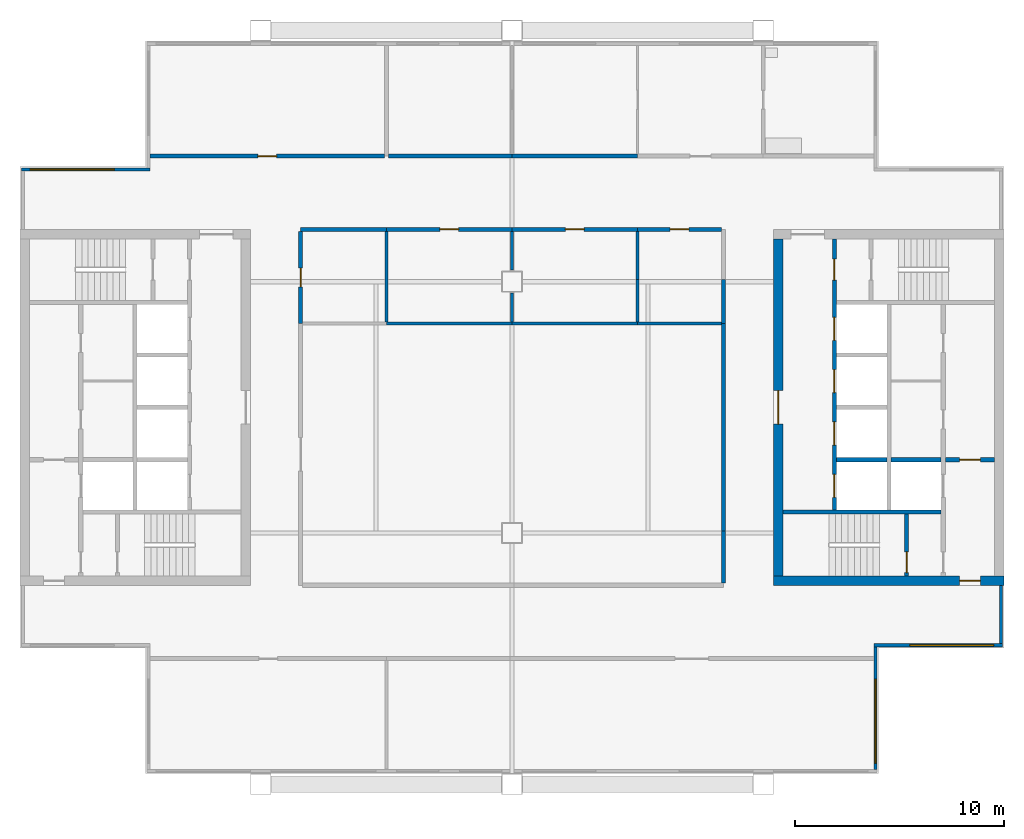
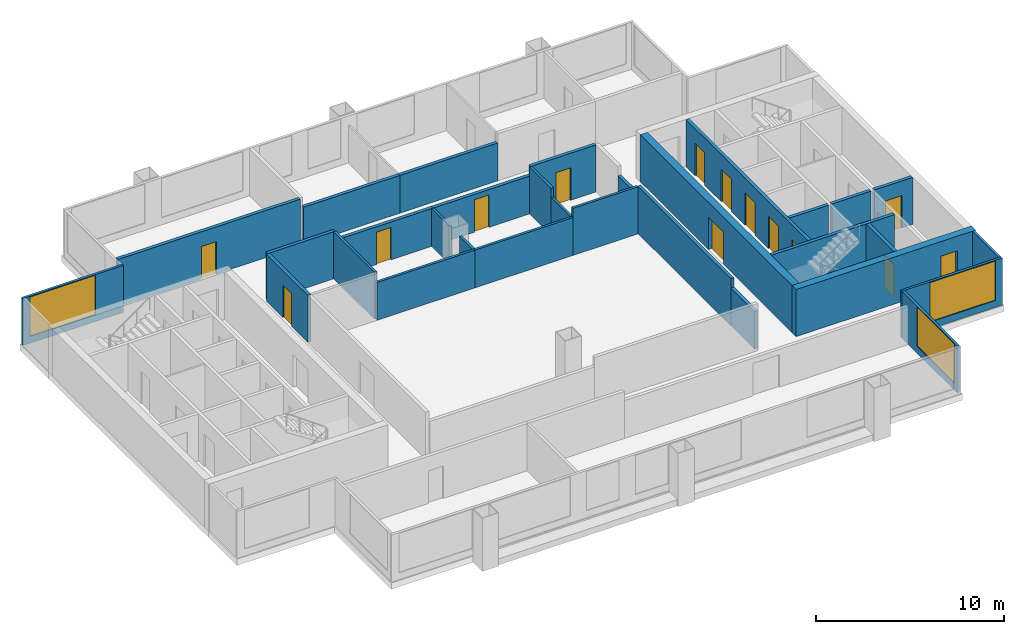
# One storey, part 3 of 7: 31 walls, 14 doors, 3 windows, 17 openings.
"""IFC4 building model written with IfcOpenShell, lengths in metres."""

from ifc_helpers import new_model, si_unit, direction, frame, frame_2d, origin, place, context, subcontext, project, spatial, rectangle, extrude, material, layer, layer_set, type_object, element, fill, save


model = new_model("IFC4")

# Units and contexts
model_context = context("Model", 3, precision=1e-05, world=origin(), true_north=direction((0.0, 1.0)))
body_context = subcontext(model_context, "Body", "Model", "MODEL_VIEW")
ifc_project = project(units=[si_unit("LENGTHUNIT", "METRE"), si_unit("AREAUNIT", "SQUARE_METRE"), si_unit("VOLUMEUNIT", "CUBIC_METRE"), si_unit("PLANEANGLEUNIT", "RADIAN"), si_unit("MASSUNIT", "GRAM", prefix="KILO")], contexts=[model_context])

# Site, building, storey
site_placement = place(None, origin())
site = spatial("IfcSite", under=ifc_project, at=site_placement, CompositionType="ELEMENT")
building_placement = place(site_placement, origin())
building = spatial("IfcBuilding", under=site, at=building_placement, Name="Kitamizu Gate Tower and Museum", CompositionType="ELEMENT")
storey_placement = place(building_placement, frame((0.0, 0.0, 245.550048828125)))
storey = spatial("IfcBuildingStorey", under=building, at=storey_placement, Name="L66", CompositionType="ELEMENT", Elevation=245.550048828125)

# Wall, opening, door
ifc_material_1 = material(Name="Concrete Fc42", Category="concrete")
ifc_layer_1 = layer(ifc_material_1, 0.449951171875)
ifc_layer_set_1 = layer_set([ifc_layer_1], Name="Concrete Fc42")
wall_type_1 = type_object("IfcWallType", Name="Core wall 450", PredefinedType="SHEAR", material=ifc_layer_set_1)
wall_1_placement = place(storey_placement, frame((59.5, 21.72509765625, 0.0), z_axis=(0.0, 0.0, 1.0), x_axis=(-1.0, 0.0, 0.0)))
wall_1 = element("IfcWall", 1, at=wall_1_placement, inside=storey, type_object=wall_type_1, Name="Core wall ES", PredefinedType="SHEAR", context=body_context, shape_type="SweptSolid", body=[
    extrude(rectangle(XDim=11.0, YDim=0.449951171875, at=frame_2d((5.5, 0.0))), origin(), (0.0, 0.0, 1.0), 3.050048828125),
])
opening_1_placement = place(wall_1_placement, frame((1.125, 0.0, 0.0)))
opening_1 = element("IfcOpeningElement", 2, at=opening_1_placement, cuts=wall_1, Name="Opening L66-028", PredefinedType="OPENING", context=body_context, shape_type="SweptSolid", body=[
    extrude(rectangle(XDim=1.0, YDim=2.10009765625, at=frame_2d((0.5, 1.050048828125))), frame((0.0, 0.23486328125, 0.0), z_axis=(0.0, -1.0, 0.0), x_axis=(1.0, 0.0, 0.0)), (0.0, 0.0, 1.0), 0.469970703125),
])
ifc_material_2 = material(Name="Hollow metal door set")
door_type_1 = type_object("IfcDoorType", Name="Fire door 1000", OperationType="NOTDEFINED", PredefinedType="DOOR", material=ifc_material_2)
door_1_placement = place(opening_1_placement, frame((1.0, 0.0, 0.0), x_axis=(-1.0, 0.0, 0.0)))
door_1 = element("IfcDoor", 3, at=door_1_placement, inside=storey, type_object=door_type_1, Name="Fire-fighting lobby door L66-028", OperationType="SINGLE_SWING_RIGHT", OverallHeight=2.10009765625, OverallWidth=1.0, PredefinedType="DOOR", context=body_context, shape_type="SweptSolid", body=[
    extrude(rectangle(XDim=1.0, YDim=2.10009765625, at=frame_2d((0.5, 1.050048828125))), frame((0.0, 0.02490234375, 0.0), z_axis=(0.0, -1.0, 0.0), x_axis=(1.0, 0.0, 0.0)), (0.0, 0.0, 1.0), 0.050048828125),
])
fill(opening_1, door_1)

wall_2_placement = place(storey_placement, frame((48.72509765625, 21.949951171875, 0.0), z_axis=(0.0, 0.0, 1.0), x_axis=(0.0, 1.0, 0.0)))
wall_2 = element("IfcWall", 4, at=wall_2_placement, inside=storey, type_object=wall_type_1, Name="Core wall EARC", PredefinedType="SHEAR", context=body_context, shape_type="SweptSolid", body=[
    extrude(rectangle(XDim=16.10009765625, YDim=0.449951171875, at=frame_2d((8.050048828125, 0.0))), origin(), (0.0, 0.0, 1.0), 3.050048828125),
])
opening_2_placement = place(wall_2_placement, frame((7.25, 0.0, 0.0)))
opening_2 = element("IfcOpeningElement", 5, at=opening_2_placement, cuts=wall_2, Name="Opening L66-030", PredefinedType="OPENING", context=body_context, shape_type="SweptSolid", body=[
    extrude(rectangle(XDim=1.60009765625, YDim=2.10009765625, at=frame_2d((0.800048828125, 1.050048828125))), frame((0.0, 0.23486328125, 0.0), z_axis=(0.0, -1.0, 0.0), x_axis=(1.0, 0.0, 0.0)), (0.0, 0.0, 1.0), 0.469970703125),
])
ifc_material_3 = material(Name="Timber door set", Category="wood")
door_type_2 = type_object("IfcDoorType", Name="Entrance door 1600", OperationType="DOUBLE_DOOR_SINGLE_SWING", PredefinedType="DOOR", material=ifc_material_3)
door_2_placement = place(opening_2_placement, origin())
door_2 = element("IfcDoor", 6, at=door_2_placement, inside=storey, type_object=door_type_2, Name="Lobby door L66-030", OperationType="DOUBLE_DOOR_SINGLE_SWING", OverallHeight=2.10009765625, OverallWidth=1.60009765625, PredefinedType="DOOR", context=body_context, shape_type="SweptSolid", body=[
    extrude(rectangle(XDim=1.60009765625, YDim=2.10009765625, at=frame_2d((0.800048828125, 1.050048828125))), frame((0.0, 0.02490234375, 0.0), z_axis=(0.0, -1.0, 0.0), x_axis=(1.0, 0.0, 0.0)), (0.0, 0.0, 1.0), 0.050048828125),
])
fill(opening_2, door_2)

# Walls
ifc_material_4 = material(Name="Gypsum board on galvanised stud")
ifc_layer_2 = layer(ifc_material_4, 0.14990234375)
ifc_layer_set_2 = layer_set([ifc_layer_2], Name="Gypsum board on galvanised stud")
wall_type_2 = type_object("IfcWallType", Name="Partition 150", PredefinedType="PARTITIONING", material=ifc_layer_set_2)
for number, where, z_axis, x_axis, name in (
    (7, (36.0, 34.0, 0.0), (0.0, 0.0, 1.0), (-1.0, 0.0, 0.0), "Partition L66-027"),
    (8, (42.0, 34.0, 0.0), (0.0, 0.0, 1.0), (-1.0, 0.0, 0.0), "Partition L66-028"),
):
    element("IfcWall", number, at=place(storey_placement, frame(where, z_axis=z_axis, x_axis=x_axis)), inside=storey, type_object=wall_type_2, Name=name, PredefinedType="PARTITIONING", context=body_context, shape_type="SweptSolid", body=[
        extrude(rectangle(XDim=6.0, YDim=0.14990234375, at=frame_2d((3.0, 0.0))), origin(), (0.0, 0.0, 1.0), 2.449951171875),
    ])
wall_3_placement = place(storey_placement, frame((46.0, 34.0, 0.0), z_axis=(0.0, 0.0, 1.0), x_axis=(-1.0, 0.0, 0.0)))
element("IfcWall", 9, at=wall_3_placement, inside=storey, type_object=wall_type_2, Name="Partition L66-029", PredefinedType="PARTITIONING", context=body_context, shape_type="SweptSolid", body=[
    extrude(rectangle(XDim=4.0, YDim=0.14990234375, at=frame_2d((2.0, 0.0))), origin(), (0.0, 0.0, 1.0), 3.050048828125),
])
wall_4_placement = place(storey_placement, frame((30.0, 34.074951171875, 0.0), z_axis=(0.0, 0.0, 1.0), x_axis=(0.0, 1.0, 0.0)))
element("IfcWall", 10, at=wall_4_placement, inside=storey, type_object=wall_type_2, Name="Partition L66-030", PredefinedType="PARTITIONING", context=body_context, shape_type="SweptSolid", body=[
    extrude(rectangle(XDim=4.324951171875, YDim=0.14990234375, at=frame_2d((2.16259765625, 0.0))), origin(), (0.0, 0.0, 1.0), 3.050048828125),
])
wall_5_placement = place(storey_placement, frame((36.0, 34.074951171875, 0.0), z_axis=(0.0, 0.0, 1.0), x_axis=(0.0, 1.0, 0.0)))
element("IfcWall", 11, at=wall_5_placement, inside=storey, type_object=wall_type_2, Name="Partition L66-031", PredefinedType="PARTITIONING", context=body_context, shape_type="SweptSolid", body=[
    extrude(rectangle(XDim=1.375, YDim=0.14990234375, at=frame_2d((0.6875, 0.0))), origin(), (0.0, 0.0, 1.0), 2.449951171875),
])
wall_6_placement = place(storey_placement, frame((36.0, 36.550048828125, 0.0), z_axis=(0.0, 0.0, 1.0), x_axis=(0.0, 1.0, 0.0)))
element("IfcWall", 12, at=wall_6_placement, inside=storey, type_object=wall_type_2, Name="Partition L66-032", PredefinedType="PARTITIONING", context=body_context, shape_type="SweptSolid", body=[
    extrude(rectangle(XDim=1.849853515625, YDim=0.14990234375, at=frame_2d((0.9248046875, 0.0))), origin(), (0.0, 0.0, 1.0), 2.449951171875),
])
wall_7_placement = place(storey_placement, frame((42.0, 34.074951171875, 0.0), z_axis=(0.0, 0.0, 1.0), x_axis=(0.0, 1.0, 0.0)))
element("IfcWall", 13, at=wall_7_placement, inside=storey, type_object=wall_type_2, Name="Partition L66-033", PredefinedType="PARTITIONING", context=body_context, shape_type="SweptSolid", body=[
    extrude(rectangle(XDim=2.025146484375, YDim=0.14990234375, at=frame_2d((1.0126953125, 0.0))), origin(), (0.0, 0.0, 1.0), 2.449951171875),
])
wall_8_placement = place(storey_placement, frame((42.0, 36.10009765625, 0.0), z_axis=(0.0, 0.0, 1.0), x_axis=(0.0, 1.0, 0.0)))
element("IfcWall", 14, at=wall_8_placement, inside=storey, type_object=wall_type_2, Name="Partition L66-034", PredefinedType="PARTITIONING", context=body_context, shape_type="SweptSolid", body=[
    extrude(rectangle(XDim=2.2998046875, YDim=0.14990234375, at=frame_2d((1.14990234375, 0.0))), origin(), (0.0, 0.0, 1.0), 3.050048828125),
])

# Wall, opening, door
ifc_material_5 = material(Name="Gypsum board on galvanised stud")
ifc_layer_3 = layer(ifc_material_5, 0.199951171875)
ifc_layer_set_3 = layer_set([ifc_layer_3], Name="Gypsum board on galvanised stud")
wall_type_3 = type_object("IfcWallType", Name="Partition 200", PredefinedType="PARTITIONING", material=ifc_layer_set_3)
wall_9_placement = place(storey_placement, frame((18.719970703125, 42.0, 0.0), z_axis=(0.0, 0.0, 1.0), x_axis=(1.0, 0.0, 0.0)))
wall_9 = element("IfcWall", 15, at=wall_9_placement, inside=storey, type_object=wall_type_3, Name="Partition L66-002", PredefinedType="PARTITIONING", context=body_context, shape_type="SweptSolid", body=[
    extrude(rectangle(XDim=11.179931640625, YDim=0.199951171875, at=frame_2d((5.58984375, 0.0))), origin(), (0.0, 0.0, 1.0), 3.050048828125),
])
opening_3_placement = place(wall_9_placement, frame((5.139892578125, 0.0, 0.0)))
opening_3 = element("IfcOpeningElement", 16, at=opening_3_placement, cuts=wall_9, Name="Opening L66-005", PredefinedType="OPENING", context=body_context, shape_type="SweptSolid", body=[
    extrude(rectangle(XDim=0.89990234375, YDim=2.10009765625, at=frame_2d((0.449951171875, 1.050048828125))), frame((0.0, 0.10986328125, 0.0), z_axis=(0.0, -1.0, 0.0), x_axis=(1.0, 0.0, 0.0)), (0.0, 0.0, 1.0), 0.219970703125),
])
ifc_material_6 = material(Name="Timber door set", Category="wood")
door_type_3 = type_object("IfcDoorType", Name="Room door 900", OperationType="NOTDEFINED", PredefinedType="DOOR", material=ifc_material_6)
door_3_placement = place(opening_3_placement, origin())
door_3 = element("IfcDoor", 17, at=door_3_placement, inside=storey, type_object=door_type_3, Name="Door L66-005", OperationType="SINGLE_SWING_RIGHT", OverallHeight=2.10009765625, OverallWidth=0.89990234375, PredefinedType="DOOR", context=body_context, shape_type="SweptSolid", body=[
    extrude(rectangle(XDim=0.89990234375, YDim=2.10009765625, at=frame_2d((0.449951171875, 1.050048828125))), frame((0.0, 0.02490234375, 0.0), z_axis=(0.0, -1.0, 0.0), x_axis=(1.0, 0.0, 0.0)), (0.0, 0.0, 1.0), 0.050048828125),
])
fill(opening_3, door_3)

# Walls
wall_10_placement = place(storey_placement, frame((30.10009765625, 42.0, 0.0), z_axis=(0.0, 0.0, 1.0), x_axis=(1.0, 0.0, 0.0)))
element("IfcWall", 18, at=wall_10_placement, inside=storey, type_object=wall_type_3, Name="Partition L66-004", PredefinedType="PARTITIONING", context=body_context, shape_type="SweptSolid", body=[
    extrude(rectangle(XDim=5.89990234375, YDim=0.199951171875, at=frame_2d((2.949951171875, 0.0))), origin(), (0.0, 0.0, 1.0), 2.449951171875),
])
wall_11_placement = place(storey_placement, frame((36.0, 42.0, 0.0), z_axis=(0.0, 0.0, 1.0), x_axis=(1.0, 0.0, 0.0)))
element("IfcWall", 19, at=wall_11_placement, inside=storey, type_object=wall_type_3, Name="Partition L66-006", PredefinedType="PARTITIONING", context=body_context, shape_type="SweptSolid", body=[
    extrude(rectangle(XDim=6.0, YDim=0.199951171875, at=frame_2d((3.0, 0.0))), origin(), (0.0, 0.0, 1.0), 2.449951171875),
])
wall_12_placement = place(storey_placement, frame((46.10009765625, 21.60009765625, 0.0), z_axis=(0.0, 0.0, 1.0), x_axis=(0.0, 1.0, 0.0)))
element("IfcWall", 20, at=wall_12_placement, inside=storey, type_object=wall_type_3, Name="Partition L66-017", PredefinedType="PARTITIONING", context=body_context, shape_type="SweptSolid", body=[
    extrude(rectangle(XDim=2.5, YDim=0.199951171875, at=frame_2d((1.25, 0.0))), origin(), (0.0, 0.0, 1.0), 2.449951171875),
])
wall_13_placement = place(storey_placement, frame((46.10009765625, 24.10009765625, 0.0), z_axis=(0.0, 0.0, 1.0), x_axis=(0.0, 1.0, 0.0)))
element("IfcWall", 21, at=wall_13_placement, inside=storey, type_object=wall_type_3, Name="Partition L66-018", PredefinedType="PARTITIONING", context=body_context, shape_type="SweptSolid", body=[
    extrude(rectangle(XDim=9.89990234375, YDim=0.199951171875, at=frame_2d((4.949951171875, 0.0))), origin(), (0.0, 0.0, 1.0), 3.050048828125),
])
wall_14_placement = place(storey_placement, frame((30.0, 38.5, 0.0), z_axis=(0.0, 0.0, 1.0), x_axis=(-1.0, 0.0, 0.0)))
element("IfcWall", 22, at=wall_14_placement, inside=storey, type_object=wall_type_3, Name="Partition L66-019", PredefinedType="PARTITIONING", context=body_context, shape_type="SweptSolid", body=[
    extrude(rectangle(XDim=4.10009765625, YDim=0.199951171875, at=frame_2d((2.050048828125, 0.0))), origin(), (0.0, 0.0, 1.0), 3.050048828125),
])

# Wall, opening, door
wall_15_placement = place(storey_placement, frame((25.89990234375, 38.39990234375, 0.0), z_axis=(0.0, 0.0, 1.0), x_axis=(0.0, -1.0, 0.0)))
wall_15 = element("IfcWall", 23, at=wall_15_placement, inside=storey, type_object=wall_type_3, Name="Partition L66-020", PredefinedType="PARTITIONING", context=body_context, shape_type="SweptSolid", body=[
    extrude(rectangle(XDim=4.39990234375, YDim=0.199951171875, at=frame_2d((2.199951171875, 0.0))), origin(), (0.0, 0.0, 1.0), 3.050048828125),
])
opening_4_placement = place(wall_15_placement, frame((1.75, 0.0, 0.0)))
opening_4 = element("IfcOpeningElement", 24, at=opening_4_placement, cuts=wall_15, Name="Opening L66-009", PredefinedType="OPENING", context=body_context, shape_type="SweptSolid", body=[
    extrude(rectangle(XDim=0.89990234375, YDim=2.10009765625, at=frame_2d((0.449951171875, 1.050048828125))), frame((0.0, 0.10986328125, 0.0), z_axis=(0.0, -1.0, 0.0), x_axis=(1.0, 0.0, 0.0)), (0.0, 0.0, 1.0), 0.219970703125),
])
door_4_placement = place(opening_4_placement, origin())
door_4 = element("IfcDoor", 25, at=door_4_placement, inside=storey, type_object=door_type_3, Name="Door L66-009", OperationType="SINGLE_SWING_RIGHT", OverallHeight=2.10009765625, OverallWidth=0.89990234375, PredefinedType="DOOR", context=body_context, shape_type="SweptSolid", body=[
    extrude(rectangle(XDim=0.89990234375, YDim=2.10009765625, at=frame_2d((0.449951171875, 1.050048828125))), frame((0.0, 0.02490234375, 0.0), z_axis=(0.0, -1.0, 0.0), x_axis=(1.0, 0.0, 0.0)), (0.0, 0.0, 1.0), 0.050048828125),
])
fill(opening_4, door_4)

wall_16_placement = place(storey_placement, frame((36.0, 38.5, 0.0), z_axis=(0.0, 0.0, 1.0), x_axis=(-1.0, 0.0, 0.0)))
wall_16 = element("IfcWall", 26, at=wall_16_placement, inside=storey, type_object=wall_type_3, Name="Partition L66-021", PredefinedType="PARTITIONING", context=body_context, shape_type="SweptSolid", body=[
    extrude(rectangle(XDim=6.0, YDim=0.199951171875, at=frame_2d((3.0, 0.0))), origin(), (0.0, 0.0, 1.0), 2.449951171875),
])
opening_5_placement = place(wall_16_placement, frame((2.550048828125, 0.0, 0.0)))
opening_5 = element("IfcOpeningElement", 27, at=opening_5_placement, cuts=wall_16, Name="Opening L66-010", PredefinedType="OPENING", context=body_context, shape_type="SweptSolid", body=[
    extrude(rectangle(XDim=0.89990234375, YDim=2.10009765625, at=frame_2d((0.449951171875, 1.050048828125))), frame((0.0, 0.10986328125, 0.0), z_axis=(0.0, -1.0, 0.0), x_axis=(1.0, 0.0, 0.0)), (0.0, 0.0, 1.0), 0.219970703125),
])
door_5_placement = place(opening_5_placement, origin())
door_5 = element("IfcDoor", 28, at=door_5_placement, inside=storey, type_object=door_type_3, Name="Door L66-010", OperationType="SINGLE_SWING_LEFT", OverallHeight=2.10009765625, OverallWidth=0.89990234375, PredefinedType="DOOR", context=body_context, shape_type="SweptSolid", body=[
    extrude(rectangle(XDim=0.89990234375, YDim=2.10009765625, at=frame_2d((0.449951171875, 1.050048828125))), frame((0.0, 0.02490234375, 0.0), z_axis=(0.0, -1.0, 0.0), x_axis=(1.0, 0.0, 0.0)), (0.0, 0.0, 1.0), 0.050048828125),
])
fill(opening_5, door_5)

wall_17_placement = place(storey_placement, frame((42.0, 38.5, 0.0), z_axis=(0.0, 0.0, 1.0), x_axis=(-1.0, 0.0, 0.0)))
wall_17 = element("IfcWall", 29, at=wall_17_placement, inside=storey, type_object=wall_type_3, Name="Partition L66-022", PredefinedType="PARTITIONING", context=body_context, shape_type="SweptSolid", body=[
    extrude(rectangle(XDim=6.0, YDim=0.199951171875, at=frame_2d((3.0, 0.0))), origin(), (0.0, 0.0, 1.0), 2.449951171875),
])
opening_6_placement = place(wall_17_placement, frame((2.550048828125, 0.0, 0.0)))
opening_6 = element("IfcOpeningElement", 30, at=opening_6_placement, cuts=wall_17, Name="Opening L66-011", PredefinedType="OPENING", context=body_context, shape_type="SweptSolid", body=[
    extrude(rectangle(XDim=0.89990234375, YDim=2.10009765625, at=frame_2d((0.449951171875, 1.050048828125))), frame((0.0, 0.10986328125, 0.0), z_axis=(0.0, -1.0, 0.0), x_axis=(1.0, 0.0, 0.0)), (0.0, 0.0, 1.0), 0.219970703125),
])
door_6_placement = place(opening_6_placement, origin())
door_6 = element("IfcDoor", 31, at=door_6_placement, inside=storey, type_object=door_type_3, Name="Door L66-011", OperationType="SINGLE_SWING_RIGHT", OverallHeight=2.10009765625, OverallWidth=0.89990234375, PredefinedType="DOOR", context=body_context, shape_type="SweptSolid", body=[
    extrude(rectangle(XDim=0.89990234375, YDim=2.10009765625, at=frame_2d((0.449951171875, 1.050048828125))), frame((0.0, 0.02490234375, 0.0), z_axis=(0.0, -1.0, 0.0), x_axis=(1.0, 0.0, 0.0)), (0.0, 0.0, 1.0), 0.050048828125),
])
fill(opening_6, door_6)

# Wall
wall_18_placement = place(storey_placement, frame((46.10009765625, 34.0, 0.0), z_axis=(0.0, 0.0, 1.0), x_axis=(0.0, 1.0, 0.0)))
element("IfcWall", 32, at=wall_18_placement, inside=storey, type_object=wall_type_3, Name="Partition L66-023", PredefinedType="PARTITIONING", context=body_context, shape_type="SweptSolid", body=[
    extrude(rectangle(XDim=2.10009765625, YDim=0.199951171875, at=frame_2d((1.050048828125, 0.0))), origin(), (0.0, 0.0, 1.0), 2.449951171875),
])

# Wall, opening, door
wall_19_placement = place(storey_placement, frame((46.0, 38.5, 0.0), z_axis=(0.0, 0.0, 1.0), x_axis=(-1.0, 0.0, 0.0)))
wall_19 = element("IfcWall", 33, at=wall_19_placement, inside=storey, type_object=wall_type_3, Name="Partition L66-025", PredefinedType="PARTITIONING", context=body_context, shape_type="SweptSolid", body=[
    extrude(rectangle(XDim=4.0, YDim=0.199951171875, at=frame_2d((2.0, 0.0))), origin(), (0.0, 0.0, 1.0), 3.050048828125),
])
opening_7_placement = place(wall_19_placement, frame((1.550048828125, 0.0, 0.0)))
opening_7 = element("IfcOpeningElement", 34, at=opening_7_placement, cuts=wall_19, Name="Opening L66-012", PredefinedType="OPENING", context=body_context, shape_type="SweptSolid", body=[
    extrude(rectangle(XDim=0.89990234375, YDim=2.10009765625, at=frame_2d((0.449951171875, 1.050048828125))), frame((0.0, 0.10986328125, 0.0), z_axis=(0.0, -1.0, 0.0), x_axis=(1.0, 0.0, 0.0)), (0.0, 0.0, 1.0), 0.219970703125),
])
door_7_placement = place(opening_7_placement, origin())
door_7 = element("IfcDoor", 35, at=door_7_placement, inside=storey, type_object=door_type_3, Name="Door L66-012", OperationType="SINGLE_SWING_LEFT", OverallHeight=2.10009765625, OverallWidth=0.89990234375, PredefinedType="DOOR", context=body_context, shape_type="SweptSolid", body=[
    extrude(rectangle(XDim=0.89990234375, YDim=2.10009765625, at=frame_2d((0.449951171875, 1.050048828125))), frame((0.0, 0.02490234375, 0.0), z_axis=(0.0, -1.0, 0.0), x_axis=(1.0, 0.0, 0.0)), (0.0, 0.0, 1.0), 0.050048828125),
])
fill(opening_7, door_7)

# Wall, openings, doors
ifc_material_7 = material(Name="Concrete Fc42", Category="concrete")
ifc_layer_4 = layer(ifc_material_7, 0.199951171875)
ifc_layer_set_4 = layer_set([ifc_layer_4], Name="Concrete Fc42")
wall_type_4 = type_object("IfcWallType", Name="Shaft wall 200", PredefinedType="SOLIDWALL", material=ifc_layer_set_4)
wall_20_placement = place(storey_placement, frame((51.39990234375, 25.10009765625, 0.0), z_axis=(0.0, 0.0, 1.0), x_axis=(0.0, 1.0, 0.0)))
wall_20 = element("IfcWall", 36, at=wall_20_placement, inside=storey, type_object=wall_type_4, Name="Shaft wall EEAST", PredefinedType="SOLIDWALL", context=body_context, shape_type="SweptSolid", body=[
    extrude(rectangle(XDim=12.949951171875, YDim=0.199951171875, at=frame_2d((6.47509765625, 0.0))), origin(), (0.0, 0.0, 1.0), 3.050048828125),
])
opening_8_placement = place(wall_20_placement, frame((0.60009765625, 0.0, 0.0)))
opening_8 = element("IfcOpeningElement", 37, at=opening_8_placement, cuts=wall_20, Name="Opening LD", PredefinedType="OPENING", context=body_context, shape_type="SweptSolid", body=[
    extrude(rectangle(XDim=1.10009765625, YDim=2.10009765625, at=frame_2d((0.550048828125, 1.050048828125))), frame((0.0, 0.10986328125, 0.0), z_axis=(0.0, -1.0, 0.0), x_axis=(1.0, 0.0, 0.0)), (0.0, 0.0, 1.0), 0.219970703125),
])
opening_9_placement = place(wall_20_placement, frame((3.10009765625, 0.0, 0.0)))
opening_9 = element("IfcOpeningElement", 38, at=opening_9_placement, cuts=wall_20, Name="Opening LD", PredefinedType="OPENING", context=body_context, shape_type="SweptSolid", body=[
    extrude(rectangle(XDim=1.10009765625, YDim=2.10009765625, at=frame_2d((0.550048828125, 1.050048828125))), frame((0.0, 0.10986328125, 0.0), z_axis=(0.0, -1.0, 0.0), x_axis=(1.0, 0.0, 0.0)), (0.0, 0.0, 1.0), 0.219970703125),
])
opening_10_placement = place(wall_20_placement, frame((5.60009765625, 0.0, 0.0)))
opening_10 = element("IfcOpeningElement", 39, at=opening_10_placement, cuts=wall_20, Name="Opening LD", PredefinedType="OPENING", context=body_context, shape_type="SweptSolid", body=[
    extrude(rectangle(XDim=1.10009765625, YDim=2.10009765625, at=frame_2d((0.550048828125, 1.050048828125))), frame((0.0, 0.10986328125, 0.0), z_axis=(0.0, -1.0, 0.0), x_axis=(1.0, 0.0, 0.0)), (0.0, 0.0, 1.0), 0.219970703125),
])
opening_11_placement = place(wall_20_placement, frame((8.10009765625, 0.0, 0.0)))
opening_11 = element("IfcOpeningElement", 40, at=opening_11_placement, cuts=wall_20, Name="Opening LD", PredefinedType="OPENING", context=body_context, shape_type="SweptSolid", body=[
    extrude(rectangle(XDim=1.10009765625, YDim=2.10009765625, at=frame_2d((0.550048828125, 1.050048828125))), frame((0.0, 0.10986328125, 0.0), z_axis=(0.0, -1.0, 0.0), x_axis=(1.0, 0.0, 0.0)), (0.0, 0.0, 1.0), 0.219970703125),
])
opening_12_placement = place(wall_20_placement, frame((10.97509765625, 0.0, 0.0)))
opening_12 = element("IfcOpeningElement", 41, at=opening_12_placement, cuts=wall_20, Name="Opening L66-025", PredefinedType="OPENING", context=body_context, shape_type="SweptSolid", body=[
    extrude(rectangle(XDim=1.0, YDim=2.10009765625, at=frame_2d((0.5, 1.050048828125))), frame((0.0, 0.10986328125, 0.0), z_axis=(0.0, -1.0, 0.0), x_axis=(1.0, 0.0, 0.0)), (0.0, 0.0, 1.0), 0.219970703125),
])
door_8_placement = place(opening_12_placement, frame((1.0, 0.0, 0.0), x_axis=(-1.0, 0.0, 0.0)))
door_8 = element("IfcDoor", 42, at=door_8_placement, inside=storey, type_object=door_type_1, Name="Stair lobby door L66-025", OperationType="SINGLE_SWING_LEFT", OverallHeight=2.10009765625, OverallWidth=1.0, PredefinedType="DOOR", context=body_context, shape_type="SweptSolid", body=[
    extrude(rectangle(XDim=1.0, YDim=2.10009765625, at=frame_2d((0.5, 1.050048828125))), frame((0.0, 0.02490234375, 0.0), z_axis=(0.0, -1.0, 0.0), x_axis=(1.0, 0.0, 0.0)), (0.0, 0.0, 1.0), 0.050048828125),
])
fill(opening_12, door_8)
ifc_material_8 = material(Name="Hollow metal door set")
door_type_4 = type_object("IfcDoorType", Name="Landing door 1100", OperationType="SLIDING_TO_LEFT", PredefinedType="DOOR", material=ifc_material_8)
door_9_placement = place(opening_8_placement, origin())
door_9 = element("IfcDoor", 43, at=door_9_placement, inside=storey, type_object=door_type_4, Name="Landing door ESV1", OperationType="SLIDING_TO_LEFT", OverallHeight=2.10009765625, OverallWidth=1.10009765625, PredefinedType="DOOR", context=body_context, shape_type="SweptSolid", body=[
    extrude(rectangle(XDim=1.10009765625, YDim=2.10009765625, at=frame_2d((0.550048828125, 1.050048828125))), frame((0.0, 0.02490234375, 0.0), z_axis=(0.0, -1.0, 0.0), x_axis=(1.0, 0.0, 0.0)), (0.0, 0.0, 1.0), 0.050048828125),
])
fill(opening_8, door_9)
door_10_placement = place(opening_9_placement, origin())
door_10 = element("IfcDoor", 44, at=door_10_placement, inside=storey, type_object=door_type_4, Name="Landing door EH1", OperationType="SLIDING_TO_LEFT", OverallHeight=2.10009765625, OverallWidth=1.10009765625, PredefinedType="DOOR", context=body_context, shape_type="SweptSolid", body=[
    extrude(rectangle(XDim=1.10009765625, YDim=2.10009765625, at=frame_2d((0.550048828125, 1.050048828125))), frame((0.0, 0.02490234375, 0.0), z_axis=(0.0, -1.0, 0.0), x_axis=(1.0, 0.0, 0.0)), (0.0, 0.0, 1.0), 0.050048828125),
])
fill(opening_9, door_10)
door_11_placement = place(opening_10_placement, origin())
door_11 = element("IfcDoor", 45, at=door_11_placement, inside=storey, type_object=door_type_4, Name="Landing door EH2", OperationType="SLIDING_TO_LEFT", OverallHeight=2.10009765625, OverallWidth=1.10009765625, PredefinedType="DOOR", context=body_context, shape_type="SweptSolid", body=[
    extrude(rectangle(XDim=1.10009765625, YDim=2.10009765625, at=frame_2d((0.550048828125, 1.050048828125))), frame((0.0, 0.02490234375, 0.0), z_axis=(0.0, -1.0, 0.0), x_axis=(1.0, 0.0, 0.0)), (0.0, 0.0, 1.0), 0.050048828125),
])
fill(opening_10, door_11)
door_12_placement = place(opening_11_placement, origin())
door_12 = element("IfcDoor", 46, at=door_12_placement, inside=storey, type_object=door_type_4, Name="Landing door EH3", OperationType="SLIDING_TO_LEFT", OverallHeight=2.10009765625, OverallWidth=1.10009765625, PredefinedType="DOOR", context=body_context, shape_type="SweptSolid", body=[
    extrude(rectangle(XDim=1.10009765625, YDim=2.10009765625, at=frame_2d((0.550048828125, 1.050048828125))), frame((0.0, 0.02490234375, 0.0), z_axis=(0.0, -1.0, 0.0), x_axis=(1.0, 0.0, 0.0)), (0.0, 0.0, 1.0), 0.050048828125),
])
fill(opening_11, door_12)

# Wall
wall_21_placement = place(storey_placement, frame((56.5, 25.0, 0.0), z_axis=(0.0, 0.0, 1.0), x_axis=(-1.0, 0.0, 0.0)))
element("IfcWall", 47, at=wall_21_placement, inside=storey, type_object=wall_type_4, Name="Shaft wall ESB", PredefinedType="SOLIDWALL", context=body_context, shape_type="SweptSolid", body=[
    extrude(rectangle(XDim=7.550048828125, YDim=0.199951171875, at=frame_2d((3.77490234375, 0.0))), origin(), (0.0, 0.0, 1.0), 3.050048828125),
])

# Wall, opening, door
wall_22_placement = place(storey_placement, frame((59.050048828125, 27.5, 0.0), z_axis=(0.0, 0.0, 1.0), x_axis=(-1.0, 0.0, 0.0)))
wall_22 = element("IfcWall", 48, at=wall_22_placement, inside=storey, type_object=wall_type_4, Name="Shaft wall EFFN", PredefinedType="SOLIDWALL", context=body_context, shape_type="SweptSolid", body=[
    extrude(rectangle(XDim=2.35009765625, YDim=0.199951171875, at=frame_2d((1.175048828125, 0.0))), origin(), (0.0, 0.0, 1.0), 3.050048828125),
])
opening_13_placement = place(wall_22_placement, frame((0.675048828125, 0.0, 0.0)))
opening_13 = element("IfcOpeningElement", 49, at=opening_13_placement, cuts=wall_22, Name="Opening L66-027", PredefinedType="OPENING", context=body_context, shape_type="SweptSolid", body=[
    extrude(rectangle(XDim=1.0, YDim=2.10009765625, at=frame_2d((0.5, 1.050048828125))), frame((0.0, 0.10986328125, 0.0), z_axis=(0.0, -1.0, 0.0), x_axis=(1.0, 0.0, 0.0)), (0.0, 0.0, 1.0), 0.219970703125),
])
door_13_placement = place(opening_13_placement, origin())
door_13 = element("IfcDoor", 50, at=door_13_placement, inside=storey, type_object=door_type_1, Name="Fire-fighting lobby door L66-027", OperationType="SINGLE_SWING_RIGHT", OverallHeight=2.10009765625, OverallWidth=1.0, PredefinedType="DOOR", context=body_context, shape_type="SweptSolid", body=[
    extrude(rectangle(XDim=1.0, YDim=2.10009765625, at=frame_2d((0.5, 1.050048828125))), frame((0.0, 0.02490234375, 0.0), z_axis=(0.0, -1.0, 0.0), x_axis=(1.0, 0.0, 0.0)), (0.0, 0.0, 1.0), 0.050048828125),
])
fill(opening_13, door_13)

wall_23_placement = place(storey_placement, frame((54.85009765625, 21.949951171875, 0.0), z_axis=(0.0, 0.0, 1.0), x_axis=(0.0, 1.0, 0.0)))
wall_23 = element("IfcWall", 51, at=wall_23_placement, inside=storey, type_object=wall_type_4, Name="Shaft wall ESZ", PredefinedType="SOLIDWALL", context=body_context, shape_type="SweptSolid", body=[
    extrude(rectangle(XDim=2.949951171875, YDim=0.199951171875, at=frame_2d((1.47509765625, 0.0))), origin(), (0.0, 0.0, 1.0), 3.050048828125),
])
opening_14_placement = place(wall_23_placement, frame((0.14990234375, 0.0, 0.0)))
opening_14 = element("IfcOpeningElement", 52, at=opening_14_placement, cuts=wall_23, Name="Opening L66-023", PredefinedType="OPENING", context=body_context, shape_type="SweptSolid", body=[
    extrude(rectangle(XDim=1.0, YDim=2.10009765625, at=frame_2d((0.5, 1.050048828125))), frame((0.0, 0.10986328125, 0.0), z_axis=(0.0, -1.0, 0.0), x_axis=(1.0, 0.0, 0.0)), (0.0, 0.0, 1.0), 0.219970703125),
])
door_14_placement = place(opening_14_placement, origin())
door_14 = element("IfcDoor", 53, at=door_14_placement, inside=storey, type_object=door_type_1, Name="Stair door L66-023", OperationType="SINGLE_SWING_RIGHT", OverallHeight=2.10009765625, OverallWidth=1.0, PredefinedType="DOOR", context=body_context, shape_type="SweptSolid", body=[
    extrude(rectangle(XDim=1.0, YDim=2.10009765625, at=frame_2d((0.5, 1.050048828125))), frame((0.0, 0.02490234375, 0.0), z_axis=(0.0, -1.0, 0.0), x_axis=(1.0, 0.0, 0.0)), (0.0, 0.0, 1.0), 0.050048828125),
])
fill(opening_14, door_14)

# Walls
for number, where, z_axis, x_axis, name in (
    (54, (56.5, 27.5, 0.0), (0.0, 0.0, 1.0), (-1.0, 0.0, 0.0), "Shaft wall EDVW0"),
    (55, (53.89990234375, 27.5, 0.0), (0.0, 0.0, 1.0), (-1.0, 0.0, 0.0), "Shaft wall EDVE0"),
):
    element("IfcWall", number, at=place(storey_placement, frame(where, z_axis=z_axis, x_axis=x_axis)), inside=storey, type_object=wall_type_4, Name=name, PredefinedType="SOLIDWALL", context=body_context, shape_type="SweptSolid", body=[
        extrude(rectangle(XDim=2.39990234375, YDim=0.199951171875, at=frame_2d((1.199951171875, 0.0))), origin(), (0.0, 0.0, 1.0), 3.050048828125),
    ])

# Wall, opening, window
ifc_material_9 = material(Name="Bronze anodised aluminium frame with insulated spandrel and tinted glass", Category="aluminium")
ifc_layer_5 = layer(ifc_material_9, 0.14990234375)
ifc_layer_set_5 = layer_set([ifc_layer_5], Name="Bronze anodised aluminium frame with insulated spandrel and tinted glass")
wall_type_5 = type_object("IfcWallType", Name="WINDOW WALL 150 BRONZE FRAME EI 30", PredefinedType="ELEMENTEDWALL", material=ifc_layer_set_5)
wall_24_placement = place(storey_placement, frame((53.364990234375, 12.7099609375, 0.0), z_axis=(0.0, 0.0, 1.0), x_axis=(0.0, 1.0, 0.0)))
wall_24 = element("IfcWall", 56, at=wall_24_placement, inside=storey, type_object=wall_type_5, Name="Window wall east L66", PredefinedType="ELEMENTEDWALL", context=body_context, shape_type="SweptSolid", body=[
    extrude(rectangle(XDim=5.85009765625, YDim=0.14990234375, at=frame_2d((2.925048828125, 0.0))), origin(), (0.0, 0.0, 1.0), 3.050048828125),
])
opening_15_placement = place(wall_24_placement, frame((0.2900390625, 0.0, 0.449951171875)))
opening_15 = element("IfcOpeningElement", 57, at=opening_15_placement, cuts=wall_24, Name="Opening W16", PredefinedType="OPENING", context=body_context, shape_type="SweptSolid", body=[
    extrude(rectangle(XDim=4.0, YDim=2.550048828125, at=frame_2d((2.0, 1.27490234375))), frame((0.0, 0.0849609375, 0.0), z_axis=(0.0, -1.0, 0.0), x_axis=(1.0, 0.0, 0.0)), (0.0, 0.0, 1.0), 0.169921875),
])
ifc_material_10 = material(Name="Bronze anodised aluminium frame, tinted triple glazing", Category="aluminium")
window_type = type_object("IfcWindowType", Name="WINDOW 4000 x 2550 SILL 450", PartitioningType="SINGLE_PANEL", PredefinedType="WINDOW", material=ifc_material_10)
window_1_placement = place(opening_15_placement, origin())
window_1 = element("IfcWindow", 58, at=window_1_placement, inside=storey, type_object=window_type, Name="Window W16 L66", OverallHeight=2.550048828125, OverallWidth=4.0, PartitioningType="SINGLE_PANEL", PredefinedType="WINDOW", context=body_context, shape_type="SweptSolid", body=[
    extrude(rectangle(XDim=4.0, YDim=2.550048828125, at=frame_2d((2.0, 1.27490234375))), frame((0.0, 0.030029296875, 0.0), z_axis=(0.0, -1.0, 0.0), x_axis=(1.0, 0.0, 0.0)), (0.0, 0.0, 1.0), 0.06005859375),
])
fill(opening_15, window_1)

wall_25_placement = place(storey_placement, frame((53.2900390625, 18.635009765625, 0.0), z_axis=(0.0, 0.0, 1.0), x_axis=(1.0, 0.0, 0.0)))
wall_25 = element("IfcWall", 59, at=wall_25_placement, inside=storey, type_object=wall_type_5, Name="Window wall south L66", PredefinedType="ELEMENTEDWALL", context=body_context, shape_type="SweptSolid", body=[
    extrude(rectangle(XDim=6.14990234375, YDim=0.14990234375, at=frame_2d((3.074951171875, 0.0))), origin(), (0.0, 0.0, 1.0), 3.050048828125),
])
opening_16_placement = place(wall_25_placement, frame((1.7099609375, 0.0, 0.449951171875)))
opening_16 = element("IfcOpeningElement", 60, at=opening_16_placement, cuts=wall_25, Name="Opening W16", PredefinedType="OPENING", context=body_context, shape_type="SweptSolid", body=[
    extrude(rectangle(XDim=4.0, YDim=2.550048828125, at=frame_2d((2.0, 1.27490234375))), frame((0.0, 0.0849609375, 0.0), z_axis=(0.0, -1.0, 0.0), x_axis=(1.0, 0.0, 0.0)), (0.0, 0.0, 1.0), 0.169921875),
])
window_2_placement = place(opening_16_placement, origin())
window_2 = element("IfcWindow", 61, at=window_2_placement, inside=storey, type_object=window_type, Name="Window W16 L66", OverallHeight=2.550048828125, OverallWidth=4.0, PartitioningType="SINGLE_PANEL", PredefinedType="WINDOW", context=body_context, shape_type="SweptSolid", body=[
    extrude(rectangle(XDim=4.0, YDim=2.550048828125, at=frame_2d((2.0, 1.27490234375))), frame((0.0, 0.030029296875, 0.0), z_axis=(0.0, -1.0, 0.0), x_axis=(1.0, 0.0, 0.0)), (0.0, 0.0, 1.0), 0.06005859375),
])
fill(opening_16, window_2)

# Wall
wall_26_placement = place(storey_placement, frame((59.364990234375, 18.7099609375, 0.0), z_axis=(0.0, 0.0, 1.0), x_axis=(0.0, 1.0, 0.0)))
element("IfcWall", 62, at=wall_26_placement, inside=storey, type_object=wall_type_5, Name="Window wall east L66", PredefinedType="ELEMENTEDWALL", context=body_context, shape_type="SweptSolid", body=[
    extrude(rectangle(XDim=2.7900390625, YDim=0.14990234375, at=frame_2d((1.39501953125, 0.0))), origin(), (0.0, 0.0, 1.0), 3.050048828125),
])

# Wall, opening, window
wall_27_placement = place(storey_placement, frame((12.56005859375, 41.364990234375, 0.0), z_axis=(0.0, 0.0, 1.0), x_axis=(1.0, 0.0, 0.0)))
wall_27 = element("IfcWall", 63, at=wall_27_placement, inside=storey, type_object=wall_type_5, Name="Window wall north L66", PredefinedType="ELEMENTEDWALL", context=body_context, shape_type="SweptSolid", body=[
    extrude(rectangle(XDim=6.14990234375, YDim=0.14990234375, at=frame_2d((3.074951171875, 0.0))), origin(), (0.0, 0.0, 1.0), 3.050048828125),
])
opening_17_placement = place(wall_27_placement, frame((0.43994140625, 0.0, 0.449951171875)))
opening_17 = element("IfcOpeningElement", 64, at=opening_17_placement, cuts=wall_27, Name="Opening W16", PredefinedType="OPENING", context=body_context, shape_type="SweptSolid", body=[
    extrude(rectangle(XDim=4.0, YDim=2.550048828125, at=frame_2d((2.0, 1.27490234375))), frame((0.0, 0.0849609375, 0.0), z_axis=(0.0, -1.0, 0.0), x_axis=(1.0, 0.0, 0.0)), (0.0, 0.0, 1.0), 0.169921875),
])
window_3_placement = place(opening_17_placement, origin())
window_3 = element("IfcWindow", 65, at=window_3_placement, inside=storey, type_object=window_type, Name="Window W16 L66", OverallHeight=2.550048828125, OverallWidth=4.0, PartitioningType="SINGLE_PANEL", PredefinedType="WINDOW", context=body_context, shape_type="SweptSolid", body=[
    extrude(rectangle(XDim=4.0, YDim=2.550048828125, at=frame_2d((2.0, 1.27490234375))), frame((0.0, 0.030029296875, 0.0), z_axis=(0.0, -1.0, 0.0), x_axis=(1.0, 0.0, 0.0)), (0.0, 0.0, 1.0), 0.06005859375),
])
fill(opening_17, window_3)

save(model, "model.ifc")
